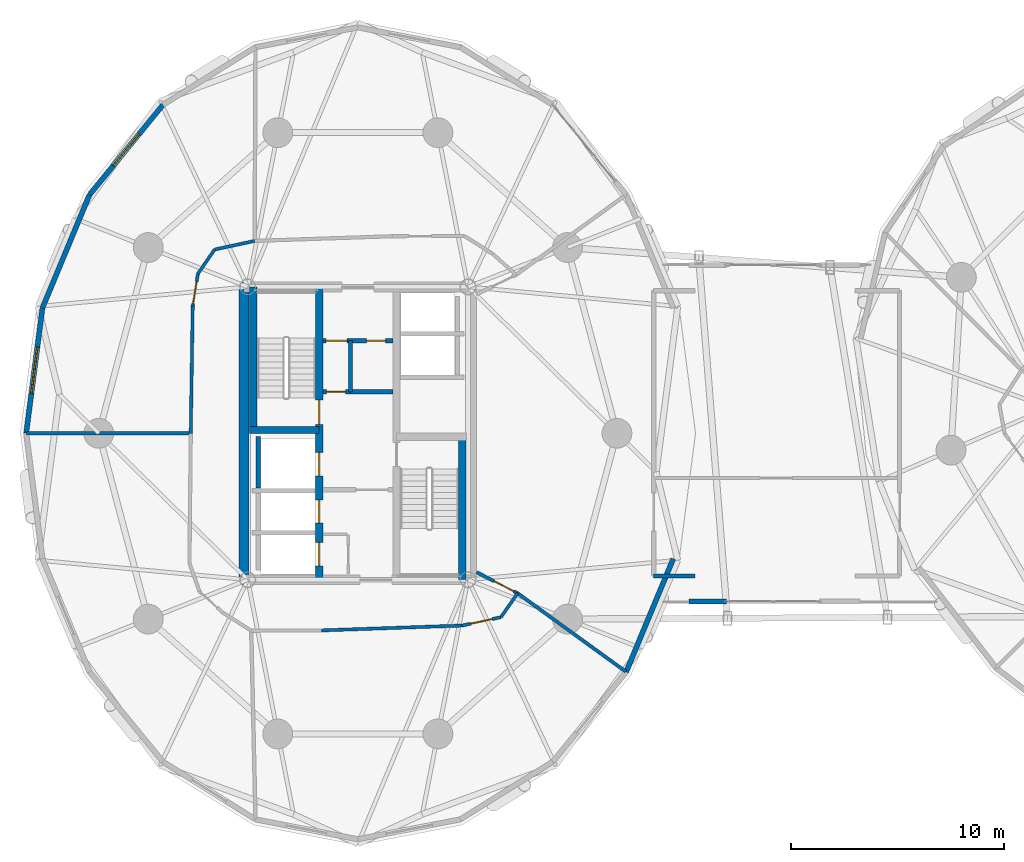
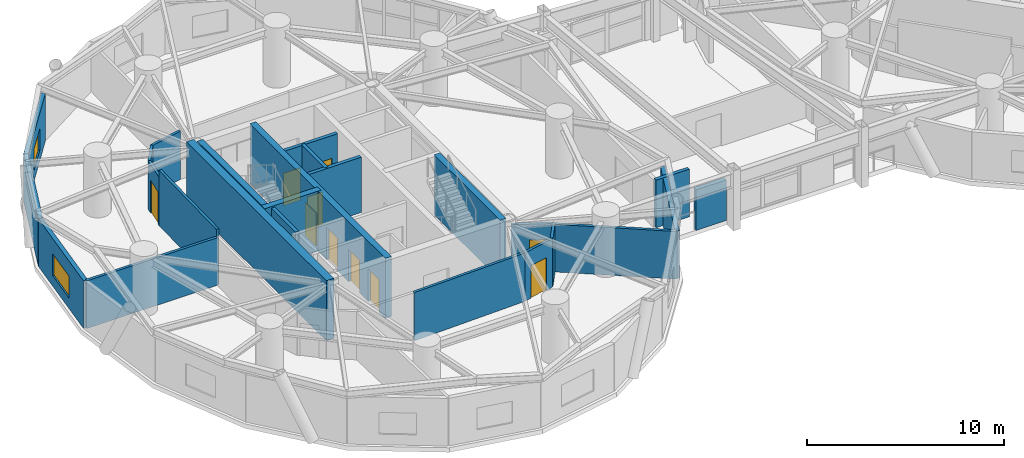
# One storey, part 13 of 19: 25 walls, 10 doors, 2 windows, 12 openings.
"""IFC4 building model written with IfcOpenShell, lengths in metres."""

from ifc_helpers import new_model, si_unit, direction, frame, frame_2d, origin, place, context, subcontext, project, spatial, rectangle, extrude, source, transform, mapped, material, layer, layer_set, type_object, element, fill, save


model = new_model("IFC4")

# Units and contexts
model_context = context("Model", 3, precision=1e-05, world=origin(), true_north=direction((0.0, 1.0)))
body_context = subcontext(model_context, "Body", "Model", "MODEL_VIEW")
ifc_project = project(units=[si_unit("LENGTHUNIT", "METRE"), si_unit("AREAUNIT", "SQUARE_METRE"), si_unit("VOLUMEUNIT", "CUBIC_METRE"), si_unit("PLANEANGLEUNIT", "RADIAN"), si_unit("MASSUNIT", "GRAM", prefix="KILO")], contexts=[model_context])

# Site, building, storey
site_placement = place(None, origin())
site = spatial("IfcSite", under=ifc_project, at=site_placement, CompositionType="ELEMENT")
building_placement = place(site_placement, origin())
building = spatial("IfcBuilding", under=site, at=building_placement, Name="Cununo Teusaquillo Station Towers", CompositionType="ELEMENT")
storey_placement = place(building_placement, frame((0.0, 0.0, 132.8798828125)))
storey = spatial("IfcBuildingStorey", under=building, at=storey_placement, Name="L42", CompositionType="ELEMENT", Elevation=132.8798828125)

# Wall
ifc_material_1 = material(Name="Concrete C50/60", Category="concrete")
ifc_layer_1 = layer(ifc_material_1, 0.199951171875)
ifc_layer_set_1 = layer_set([ifc_layer_1], Name="Concrete C50/60")
wall_type_1 = type_object("IfcWallType", Name="WL-CORE-200", PredefinedType="SHEAR", material=ifc_layer_set_1)
wall_1_placement = place(storey_placement, frame((11.820068359375, 21.919921875, 0.0), z_axis=(0.0, 0.0, 1.0), x_axis=(0.0, 1.0, 0.0)))
element("IfcWall", 1, at=wall_1_placement, inside=storey, type_object=wall_type_1, Name="L42 Tower A Firefighting Lift Shaft Rear Shear Wall", PredefinedType="SHEAR", context=body_context, shape_type="SweptSolid", body=[
    extrude(rectangle(XDim=2.440185546875, YDim=0.199951171875, at=frame_2d((1.22021484375, 0.0))), origin(), (0.0, 0.0, 1.0), 3.72021484375),
])

# Wall, openings, doors
ifc_material_2 = material(Name="Concrete C50/60", Category="concrete")
ifc_layer_2 = layer(ifc_material_2, 0.35009765625)
ifc_layer_set_2 = layer_set([ifc_layer_2], Name="Concrete C50/60")
wall_type_2 = type_object("IfcWallType", Name="WL-CORE-350", PredefinedType="SHEAR", material=ifc_layer_set_2)
wall_2_placement = place(storey_placement, frame((14.68505859375, 17.625, 0.0), z_axis=(0.0, 0.0, 1.0), x_axis=(0.0, 1.0, 0.0)))
wall_2 = element("IfcWall", 2, at=wall_2_placement, inside=storey, type_object=wall_type_2, Name="L42 Tower A Core Shear Wall IW", PredefinedType="SHEAR", context=body_context, shape_type="SweptSolid", body=[
    extrude(rectangle(XDim=13.75, YDim=0.35009765625, at=frame_2d((6.875, 0.0))), origin(), (0.0, 0.0, 1.0), 3.72021484375),
])
shared_shape_1 = source(origin(), body_context, "Body", "SweptSolid", [
    extrude(rectangle(XDim=1.10009765625, YDim=2.014892578125, at=frame_2d((0.550048828125, 1.00732421875))), frame((0.0, 0.18505859375, 0.0), z_axis=(0.0, -1.0, 0.0), x_axis=(1.0, 0.0, 0.0)), (0.0, 0.0, 1.0), 0.3701171875),
])
opening_1_placement = place(wall_2_placement, frame((4.875, 0.0, 0.0)))
opening_1 = element("IfcOpeningElement", 3, at=opening_1_placement, cuts=wall_2, Name="Opening LD-01", PredefinedType="OPENING", context=body_context, shape_type="MappedRepresentation", body=[
    mapped(shared_shape_1, transform((0.0, 0.0, 0.0), x_axis=(1.0, 0.0, 0.0), y_axis=(0.0, 1.0, 0.0), z_axis=(0.0, 0.0, 1.0), scale=1.0)),
])
opening_2_placement = place(wall_2_placement, frame((0.64990234375, 0.0, 0.0)))
opening_2 = element("IfcOpeningElement", 4, at=opening_2_placement, cuts=wall_2, Name="Opening LD-01", PredefinedType="OPENING", context=body_context, shape_type="MappedRepresentation", body=[
    mapped(shared_shape_1, transform((0.0, 0.0, 0.0), x_axis=(1.0, 0.0, 0.0), y_axis=(0.0, 1.0, 0.0), z_axis=(0.0, 0.0, 1.0), scale=1.0)),
])
opening_3_placement = place(wall_2_placement, frame((2.64990234375, 0.0, 0.0)))
opening_3 = element("IfcOpeningElement", 5, at=opening_3_placement, cuts=wall_2, Name="Opening LD-01", PredefinedType="OPENING", context=body_context, shape_type="MappedRepresentation", body=[
    mapped(shared_shape_1, transform((0.0, 0.0, 0.0), x_axis=(1.0, 0.0, 0.0), y_axis=(0.0, 1.0, 0.0), z_axis=(0.0, 0.0, 1.0), scale=1.0)),
])
shared_shape_2 = source(origin(), body_context, "Body", "SweptSolid", [
    extrude(rectangle(XDim=1.14990234375, YDim=2.02001953125, at=frame_2d((0.574951171875, 1.010009765625))), frame((0.0, 0.18505859375, 0.0), z_axis=(0.0, -1.0, 0.0), x_axis=(1.0, 0.0, 0.0)), (0.0, 0.0, 1.0), 0.3701171875),
])
opening_4_placement = place(wall_2_placement, frame((7.294921875, 0.0, 0.0)))
opening_4 = element("IfcOpeningElement", 6, at=opening_4_placement, cuts=wall_2, Name="Opening D-ST1", PredefinedType="OPENING", context=body_context, shape_type="MappedRepresentation", body=[
    mapped(shared_shape_2, transform((0.0, 0.0, 0.0), x_axis=(1.0, 0.0, 0.0), y_axis=(0.0, 1.0, 0.0), z_axis=(0.0, 0.0, 1.0), scale=1.0)),
])
ifc_material_3 = material(Name="Galvanised fire-rated hollow steel door assembly", Category="steel")
door_type_1 = type_object("IfcDoorType", Name="DR-LIFT-1100", OperationType="SLIDING_TO_LEFT", PredefinedType="DOOR", material=ifc_material_3)
shared_shape_3 = source(origin(), body_context, "Body", "SweptSolid", [
    extrude(rectangle(XDim=1.10009765625, YDim=2.014892578125, at=frame_2d((0.550048828125, 1.00732421875))), frame((0.0, 0.02490234375, 0.0), z_axis=(0.0, -1.0, 0.0), x_axis=(1.0, 0.0, 0.0)), (0.0, 0.0, 1.0), 0.050048828125),
])
door_1_placement = place(opening_1_placement, origin())
door_1 = element("IfcDoor", 7, at=door_1_placement, inside=storey, type_object=door_type_1, Name="L42 Lift FL-T1 Sliding Landing Door", OperationType="SLIDING_TO_LEFT", OverallHeight=2.014892578125, OverallWidth=1.10009765625, PredefinedType="DOOR", context=body_context, shape_type="MappedRepresentation", body=[
    mapped(shared_shape_3, transform((0.0, 0.0, 0.0), x_axis=(1.0, 0.0, 0.0), y_axis=(0.0, 1.0, 0.0), z_axis=(0.0, 0.0, 1.0), scale=1.0)),
])
fill(opening_1, door_1)
door_2_placement = place(opening_2_placement, origin())
door_2 = element("IfcDoor", 8, at=door_2_placement, inside=storey, type_object=door_type_1, Name="L42 Lift PL-T1-H1 Sliding Landing Door", OperationType="SLIDING_TO_LEFT", OverallHeight=2.014892578125, OverallWidth=1.10009765625, PredefinedType="DOOR", context=body_context, shape_type="MappedRepresentation", body=[
    mapped(shared_shape_3, transform((0.0, 0.0, 0.0), x_axis=(1.0, 0.0, 0.0), y_axis=(0.0, 1.0, 0.0), z_axis=(0.0, 0.0, 1.0), scale=1.0)),
])
fill(opening_2, door_2)
door_3_placement = place(opening_3_placement, origin())
door_3 = element("IfcDoor", 9, at=door_3_placement, inside=storey, type_object=door_type_1, Name="L42 Lift PL-T1-H2 Sliding Landing Door", OperationType="SLIDING_TO_RIGHT", OverallHeight=2.014892578125, OverallWidth=1.10009765625, PredefinedType="DOOR", context=body_context, shape_type="MappedRepresentation", body=[
    mapped(shared_shape_3, transform((0.0, 0.0, 0.0), x_axis=(1.0, 0.0, 0.0), y_axis=(0.0, 1.0, 0.0), z_axis=(0.0, 0.0, 1.0), scale=1.0)),
])
fill(opening_3, door_3)
ifc_material_4 = material(Name="Galvanised fire-rated hollow steel door assembly", Category="steel")
door_type_2 = type_object("IfcDoorType", Name="DR-STAIR-1150", OperationType="NOTDEFINED", PredefinedType="DOOR", material=ifc_material_4)
shared_shape_4 = source(origin(), body_context, "Body", "SweptSolid", [
    extrude(rectangle(XDim=1.14990234375, YDim=2.02001953125, at=frame_2d((0.574951171875, 1.010009765625))), frame((0.0, 0.02490234375, 0.0), z_axis=(0.0, -1.0, 0.0), x_axis=(1.0, 0.0, 0.0)), (0.0, 0.0, 1.0), 0.050048828125),
])
door_4_placement = place(opening_4_placement, origin())
door_4 = element("IfcDoor", 10, at=door_4_placement, inside=storey, type_object=door_type_2, Name="L42 Tower A Exit Stair 1 Fire Door", OperationType="SINGLE_SWING_RIGHT", OverallHeight=2.02001953125, OverallWidth=1.14990234375, PredefinedType="DOOR", context=body_context, shape_type="MappedRepresentation", body=[
    mapped(shared_shape_4, transform((0.0, 0.0, 0.0), x_axis=(1.0, 0.0, 0.0), y_axis=(0.0, 1.0, 0.0), z_axis=(0.0, 0.0, 1.0), scale=1.0)),
])
fill(opening_4, door_4)

# Walls
wall_3_placement = place(storey_placement, frame((11.594970703125, 24.655029296875, 0.0), z_axis=(0.0, 0.0, 1.0), x_axis=(0.0, 1.0, 0.0)))
element("IfcWall", 11, at=wall_3_placement, inside=storey, type_object=wall_type_2, Name="L42 Tower A Core Shear Wall ST1W", PredefinedType="SHEAR", context=body_context, shape_type="SweptSolid", body=[
    extrude(rectangle(XDim=6.719970703125, YDim=0.35009765625, at=frame_2d((3.35986328125, 0.0))), origin(), (0.0, 0.0, 1.0), 3.72021484375),
])
wall_4_placement = place(storey_placement, frame((11.39990234375, 24.655029296875, 0.0), z_axis=(0.0, 0.0, 1.0), x_axis=(1.0, 0.0, 0.0)))
element("IfcWall", 12, at=wall_4_placement, inside=storey, type_object=wall_type_2, Name="L42 Tower A Core Shear Wall ST1S", PredefinedType="SHEAR", context=body_context, shape_type="SweptSolid", body=[
    extrude(rectangle(XDim=3.28515625, YDim=0.35009765625, at=frame_2d((1.642578125, 0.0))), origin(), (0.0, 0.0, 1.0), 3.72021484375),
])
wall_5_placement = place(storey_placement, frame((21.405029296875, 17.625, 0.0), z_axis=(0.0, 0.0, 1.0), x_axis=(0.0, 1.0, 0.0)))
element("IfcWall", 13, at=wall_5_placement, inside=storey, type_object=wall_type_2, Name="L42 Tower A Core Shear Wall ST2E", PredefinedType="SHEAR", context=body_context, shape_type="SweptSolid", body=[
    extrude(rectangle(XDim=6.719970703125, YDim=0.35009765625, at=frame_2d((3.35986328125, 0.0))), origin(), (0.0, 0.0, 1.0), 3.72021484375),
])
ifc_material_5 = material(Name="Concrete C60/75", Category="concrete")
ifc_layer_3 = layer(ifc_material_5, 0.449951171875)
ifc_layer_set_3 = layer_set([ifc_layer_3], Name="Concrete C60/75")
wall_type_3 = type_object("IfcWallType", Name="WL-CORE-450", PredefinedType="SHEAR", material=ifc_layer_set_3)
wall_6_placement = place(storey_placement, frame((11.14990234375, 17.39990234375, 0.0), z_axis=(0.0, 0.0, 1.0), x_axis=(0.0, 1.0, 0.0)))
element("IfcWall", 14, at=wall_6_placement, inside=storey, type_object=wall_type_3, Name="L42 Tower A Core Shear Wall W", PredefinedType="SHEAR", context=body_context, shape_type="SweptSolid", body=[
    extrude(rectangle(XDim=14.2001953125, YDim=0.449951171875, at=frame_2d((7.10009765625, 0.0))), origin(), (0.0, 0.0, 1.0), 3.72021484375),
])

# Wall, opening, window
ifc_material_6 = material(Name="Precast concrete C40/50", Category="concrete")
ifc_layer_4 = layer(ifc_material_6, 0.239990234375)
ifc_layer_set_4 = layer_set([ifc_layer_4], Name="Precast concrete C40/50")
wall_type_4 = type_object("IfcWallType", Name="WL-EXT-240", PredefinedType="SOLIDWALL", material=ifc_layer_set_4)
wall_7_placement = place(storey_placement, frame((3.894775390625, 35.708984375, 0.0), z_axis=(0.0, 0.0, 1.0), x_axis=(0.632700781152, 0.77439635945, 0.0)))
wall_7 = element("IfcWall", 15, at=wall_7_placement, inside=storey, type_object=wall_type_4, Name="L42 Tower A Exterior Facade Wall C07", PredefinedType="SOLIDWALL", context=body_context, shape_type="SweptSolid", body=[
    extrude(rectangle(XDim=5.447998046875, YDim=0.239990234375, at=frame_2d((2.72412109375, 0.0))), origin(), (0.0, 0.0, 1.0), 2.94921875),
])
shared_shape_5 = source(origin(), body_context, "Body", "SweptSolid", [
    extrude(rectangle(XDim=1.89990234375, YDim=1.35009765625, at=frame_2d((0.949951171875, 0.675048828125))), frame((0.0, 0.1298828125, 0.0), z_axis=(0.0, -1.0, 0.0), x_axis=(1.0, 0.0, 0.0)), (0.0, 0.0, 1.0), 0.260009765625),
])
opening_5_placement = place(wall_7_placement, frame((1.77392578125, 0.0, 0.64990234375)))
opening_5 = element("IfcOpeningElement", 16, at=opening_5_placement, cuts=wall_7, Name="Opening WN-02", PredefinedType="OPENING", context=body_context, shape_type="MappedRepresentation", body=[
    mapped(shared_shape_5, transform((0.0, 0.0, 0.0), x_axis=(1.0, 0.0, 0.0), y_axis=(0.0, 1.0, 0.0), z_axis=(0.0, 0.0, 1.0), scale=1.0)),
])
ifc_material_7 = material(Name="Operable acoustic tinted low-E double glazing", Category="glass")
window_type_1 = type_object("IfcWindowType", Name="WIN-OPER-1900", PartitioningType="DOUBLE_PANEL_VERTICAL", PredefinedType="WINDOW", material=ifc_material_7)
shared_shape_6 = source(origin(), body_context, "Body", "SweptSolid", [
    extrude(rectangle(XDim=1.89990234375, YDim=1.35009765625, at=frame_2d((0.949951171875, 0.675048828125))), frame((0.0, 0.030029296875, 0.0), z_axis=(0.0, -1.0, 0.0), x_axis=(1.0, 0.0, 0.0)), (0.0, 0.0, 1.0), 0.06005859375),
])
window_1_placement = place(opening_5_placement, origin())
window_1 = element("IfcWindow", 17, at=window_1_placement, inside=storey, type_object=window_type_1, Name="L42 Tower A Facade Window C07", OverallHeight=1.35009765625, OverallWidth=1.89990234375, PartitioningType="DOUBLE_PANEL_VERTICAL", PredefinedType="WINDOW", context=body_context, shape_type="MappedRepresentation", body=[
    mapped(shared_shape_6, transform((0.0, 0.0, 0.0), x_axis=(1.0, 0.0, 0.0), y_axis=(0.0, 1.0, 0.0), z_axis=(0.0, 0.0, 1.0), scale=1.0)),
])
fill(opening_5, window_1)

# Wall
wall_8_placement = place(storey_placement, frame((1.681640625, 30.39306640625, 0.0), z_axis=(0.0, 0.0, 1.0), x_axis=(0.384344417632, 0.923189779317, 0.0)))
element("IfcWall", 18, at=wall_8_placement, inside=storey, type_object=wall_type_4, Name="L42 Tower A Exterior Facade Wall C08", PredefinedType="SOLIDWALL", context=body_context, shape_type="SweptSolid", body=[
    extrude(rectangle(XDim=5.75830078125, YDim=0.239990234375, at=frame_2d((2.879150390625, 0.0))), origin(), (0.0, 0.0, 1.0), 2.94921875),
])

# Wall, opening, window
wall_9_placement = place(storey_placement, frame((0.9189453125, 24.5, 0.0), z_axis=(0.0, 0.0, 1.0), x_axis=(0.128351991996, 0.991728675672, 0.0)))
wall_9 = element("IfcWall", 19, at=wall_9_placement, inside=storey, type_object=wall_type_4, Name="L42 Tower A Exterior Facade Wall C09", PredefinedType="SOLIDWALL", context=body_context, shape_type="SweptSolid", body=[
    extrude(rectangle(XDim=5.942138671875, YDim=0.239990234375, at=frame_2d((2.97119140625, 0.0))), origin(), (0.0, 0.0, 1.0), 2.94921875),
])
shared_shape_7 = source(origin(), body_context, "Body", "SweptSolid", [
    extrude(rectangle(XDim=2.199951171875, YDim=1.35009765625, at=frame_2d((1.10009765625, 0.675048828125))), frame((0.0, 0.1298828125, 0.0), z_axis=(0.0, -1.0, 0.0), x_axis=(1.0, 0.0, 0.0)), (0.0, 0.0, 1.0), 0.260009765625),
])
opening_6_placement = place(wall_9_placement, frame((1.87109375, 0.0, 0.64990234375)))
opening_6 = element("IfcOpeningElement", 20, at=opening_6_placement, cuts=wall_9, Name="Opening WN-01", PredefinedType="OPENING", context=body_context, shape_type="MappedRepresentation", body=[
    mapped(shared_shape_7, transform((0.0, 0.0, 0.0), x_axis=(1.0, 0.0, 0.0), y_axis=(0.0, 1.0, 0.0), z_axis=(0.0, 0.0, 1.0), scale=1.0)),
])
ifc_material_8 = material(Name="Ceramic-fritted dark low-E double glazing", Category="glass")
window_type_2 = type_object("IfcWindowType", Name="WIN-FRIT-2200", PartitioningType="DOUBLE_PANEL_VERTICAL", PredefinedType="WINDOW", material=ifc_material_8)
shared_shape_8 = source(origin(), body_context, "Body", "SweptSolid", [
    extrude(rectangle(XDim=2.199951171875, YDim=1.35009765625, at=frame_2d((1.10009765625, 0.675048828125))), frame((0.0, 0.030029296875, 0.0), z_axis=(0.0, -1.0, 0.0), x_axis=(1.0, 0.0, 0.0)), (0.0, 0.0, 1.0), 0.06005859375),
])
window_2_placement = place(opening_6_placement, origin())
window_2 = element("IfcWindow", 21, at=window_2_placement, inside=storey, type_object=window_type_2, Name="L42 Tower A Facade Window C09", OverallHeight=1.35009765625, OverallWidth=2.199951171875, PartitioningType="DOUBLE_PANEL_VERTICAL", PredefinedType="WINDOW", context=body_context, shape_type="MappedRepresentation", body=[
    mapped(shared_shape_8, transform((0.0, 0.0, 0.0), x_axis=(1.0, 0.0, 0.0), y_axis=(0.0, 1.0, 0.0), z_axis=(0.0, 0.0, 1.0), scale=1.0)),
])
fill(opening_6, window_2)

# Walls
wall_10_placement = place(storey_placement, frame((31.318359375, 18.60693359375, 0.0), z_axis=(0.0, 0.0, 1.0), x_axis=(-0.384344417632, -0.923189779317, 0.0)))
element("IfcWall", 22, at=wall_10_placement, inside=storey, type_object=wall_type_4, Name="L42 Tower A Exterior Facade Wall C18", PredefinedType="SOLIDWALL", context=body_context, shape_type="SweptSolid", body=[
    extrude(rectangle(XDim=5.75830078125, YDim=0.239990234375, at=frame_2d((2.879150390625, 0.0))), origin(), (0.0, 0.0, 1.0), 2.94921875),
])
wall_11_placement = place(storey_placement, frame((33.820068359375, 16.60009765625, 0.0), z_axis=(0.0, 0.0, 1.0), x_axis=(-1.0, 0.0, 0.0)))
element("IfcWall", 23, at=wall_11_placement, inside=storey, type_object=wall_type_4, Name="L42 Mid-Bridge S End Spandrel B", PredefinedType="SOLIDWALL", context=body_context, shape_type="SweptSolid", body=[
    extrude(rectangle(XDim=1.77001953125, YDim=0.239990234375, at=frame_2d((0.885009765625, 0.0))), origin(), (0.0, 0.0, 1.0), 2.51220703125),
])
ifc_material_9 = material(Name="Fire-rated gypsum plasterboard partition assembly", Category="gypsum")
ifc_layer_5 = layer(ifc_material_9, 0.14990234375)
ifc_layer_set_5 = layer_set([ifc_layer_5], Name="Fire-rated gypsum plasterboard partition assembly")
wall_type_5 = type_object("IfcWallType", Name="WL-PART-150", PredefinedType="PARTITIONING", material=ifc_layer_set_5)
wall_12_placement = place(storey_placement, frame((11.650390625, 33.53857421875, 0.0), z_axis=(0.0, 0.0, 1.0), x_axis=(-0.977535921581, -0.210768882949, 0.0)))
element("IfcWall", 24, at=wall_12_placement, inside=storey, type_object=wall_type_5, Name="L42 Tower A Corridor Ring Wall C06", PredefinedType="PARTITIONING", context=body_context, shape_type="SweptSolid", body=[
    extrude(rectangle(XDim=1.9228515625, YDim=0.14990234375, at=frame_2d((0.96142578125, 0.0))), origin(), (0.0, 0.0, 1.0), 2.9951171875),
])
wall_13_placement = place(storey_placement, frame((9.770751953125, 33.13330078125, 0.0), z_axis=(0.0, 0.0, 1.0), x_axis=(-0.568464531016, -0.822707771312, 0.0)))
element("IfcWall", 25, at=wall_13_placement, inside=storey, type_object=wall_type_5, Name="L42 Tower A Corridor Ring Wall C07", PredefinedType="PARTITIONING", context=body_context, shape_type="SweptSolid", body=[
    extrude(rectangle(XDim=1.3798828125, YDim=0.14990234375, at=frame_2d((0.68994140625, 0.0))), origin(), (0.0, 0.0, 1.0), 2.9951171875),
])

# Wall, opening, door
wall_14_placement = place(storey_placement, frame((8.986328125, 31.998046875, 0.0), z_axis=(0.0, 0.0, 1.0), x_axis=(-0.158992972351, -0.98727971454, 0.0)))
wall_14 = element("IfcWall", 26, at=wall_14_placement, inside=storey, type_object=wall_type_5, Name="L42 Tower A Corridor Ring Wall C08", PredefinedType="PARTITIONING", context=body_context, shape_type="SweptSolid", body=[
    extrude(rectangle(XDim=1.53857421875, YDim=0.14990234375, at=frame_2d((0.769287109375, 0.0))), origin(), (0.0, 0.0, 1.0), 2.9951171875),
])
shared_shape_9 = source(origin(), body_context, "Body", "SweptSolid", [
    extrude(rectangle(XDim=1.050048828125, YDim=2.014892578125, at=frame_2d((0.52490234375, 1.00732421875))), frame((0.0, 0.0849609375, 0.0), z_axis=(0.0, -1.0, 0.0), x_axis=(1.0, 0.0, 0.0)), (0.0, 0.0, 1.0), 0.169921875),
])
opening_7_placement = place(wall_14_placement, frame((0.36865234375, 0.0, 0.0)))
opening_7 = element("IfcOpeningElement", 27, at=opening_7_placement, cuts=wall_14, Name="Opening D-SU1", PredefinedType="OPENING", context=body_context, shape_type="MappedRepresentation", body=[
    mapped(shared_shape_9, transform((0.0, 0.0, 0.0), x_axis=(1.0, 0.0, 0.0), y_axis=(0.0, 1.0, 0.0), z_axis=(0.0, 0.0, 1.0), scale=1.0)),
])
ifc_material_10 = material(Name="Acoustic solid-core hardwood leaf assembly", Category="wood")
door_type_3 = type_object("IfcDoorType", Name="DR-SUITE-1050", OperationType="NOTDEFINED", PredefinedType="DOOR", material=ifc_material_10)
shared_shape_10 = source(origin(), body_context, "Body", "SweptSolid", [
    extrude(rectangle(XDim=1.050048828125, YDim=2.014892578125, at=frame_2d((0.52490234375, 1.00732421875))), frame((0.0, 0.02490234375, 0.0), z_axis=(0.0, -1.0, 0.0), x_axis=(1.0, 0.0, 0.0)), (0.0, 0.0, 1.0), 0.050048828125),
])
door_5_placement = place(opening_7_placement, origin())
door_5 = element("IfcDoor", 28, at=door_5_placement, inside=storey, type_object=door_type_3, Name="L42 Tower A Andean Coffee & Pastry Salon Entrance Door", OperationType="SINGLE_SWING_LEFT", OverallHeight=2.014892578125, OverallWidth=1.050048828125, PredefinedType="DOOR", context=body_context, shape_type="MappedRepresentation", body=[
    mapped(shared_shape_10, transform((0.0, 0.0, 0.0), x_axis=(1.0, 0.0, 0.0), y_axis=(0.0, 1.0, 0.0), z_axis=(0.0, 0.0, 1.0), scale=1.0)),
])
fill(opening_7, door_5)

# Walls
wall_15_placement = place(storey_placement, frame((8.74169921875, 30.47900390625, 0.0), z_axis=(0.0, 0.0, 1.0), x_axis=(-0.015351396174, -0.999882160375, 0.0)))
element("IfcWall", 29, at=wall_15_placement, inside=storey, type_object=wall_type_5, Name="L42 Tower A Corridor Ring Wall C09", PredefinedType="PARTITIONING", context=body_context, shape_type="SweptSolid", body=[
    extrude(rectangle(XDim=5.979736328125, YDim=0.14990234375, at=frame_2d((2.98974609375, 0.0))), origin(), (0.0, 0.0, 1.0), 3.425048828125),
])
wall_16_placement = place(storey_placement, frame((14.791748046875, 15.240478515625, 0.0), z_axis=(0.0, 0.0, 1.0), x_axis=(0.999408106202, 0.034401122909, 0.0)))
element("IfcWall", 30, at=wall_16_placement, inside=storey, type_object=wall_type_5, Name="L42 Tower A Corridor Ring Wall C15", PredefinedType="PARTITIONING", context=body_context, shape_type="SweptSolid", body=[
    extrude(rectangle(XDim=6.60009765625, YDim=0.14990234375, at=frame_2d((3.300048828125, 0.0))), origin(), (0.0, 0.0, 1.0), 2.9951171875),
])

# Wall, opening, door
wall_17_placement = place(storey_placement, frame((21.387939453125, 15.467529296875, 0.0), z_axis=(0.0, 0.0, 1.0), x_axis=(0.977672748596, 0.210133283069, 0.0)))
wall_17 = element("IfcWall", 31, at=wall_17_placement, inside=storey, type_object=wall_type_5, Name="L42 Tower A Corridor Ring Wall C16", PredefinedType="PARTITIONING", context=body_context, shape_type="SweptSolid", body=[
    extrude(rectangle(XDim=1.87646484375, YDim=0.14990234375, at=frame_2d((0.938232421875, 0.0))), origin(), (0.0, 0.0, 1.0), 2.9951171875),
])
opening_8_placement = place(wall_17_placement, frame((0.4130859375, 0.0, 0.0)))
opening_8 = element("IfcOpeningElement", 32, at=opening_8_placement, cuts=wall_17, Name="Opening D-SU1", PredefinedType="OPENING", context=body_context, shape_type="MappedRepresentation", body=[
    mapped(shared_shape_9, transform((0.0, 0.0, 0.0), x_axis=(1.0, 0.0, 0.0), y_axis=(0.0, 1.0, 0.0), z_axis=(0.0, 0.0, 1.0), scale=1.0)),
])
door_6_placement = place(opening_8_placement, origin())
door_6 = element("IfcDoor", 33, at=door_6_placement, inside=storey, type_object=door_type_3, Name="L42 Tower A Executive Sky-Bridge Club Lounge Entrance Door", OperationType="SINGLE_SWING_LEFT", OverallHeight=2.014892578125, OverallWidth=1.050048828125, PredefinedType="DOOR", context=body_context, shape_type="MappedRepresentation", body=[
    mapped(shared_shape_10, transform((0.0, 0.0, 0.0), x_axis=(1.0, 0.0, 0.0), y_axis=(0.0, 1.0, 0.0), z_axis=(0.0, 0.0, 1.0), scale=1.0)),
])
fill(opening_8, door_6)

# Walls
wall_18_placement = place(storey_placement, frame((23.222412109375, 15.86181640625, 0.0), z_axis=(0.0, 0.0, 1.0), x_axis=(0.571941738195, 0.820294244836, 0.0)))
element("IfcWall", 34, at=wall_18_placement, inside=storey, type_object=wall_type_5, Name="L42 Tower A Corridor Ring Wall C17", PredefinedType="PARTITIONING", context=body_context, shape_type="SweptSolid", body=[
    extrude(rectangle(XDim=1.369384765625, YDim=0.14990234375, at=frame_2d((0.6845703125, 0.0))), origin(), (0.0, 0.0, 1.0), 2.9951171875),
])
ifc_material_11 = material(Name="Fire-rated gypsum plasterboard partition assembly", Category="gypsum")
ifc_layer_6 = layer(ifc_material_11, 0.159912109375)
ifc_layer_set_6 = layer_set([ifc_layer_6], Name="Fire-rated gypsum plasterboard partition assembly")
wall_type_6 = type_object("IfcWallType", Name="WL-PART-160", PredefinedType="PARTITIONING", material=ifc_layer_set_6)
wall_19_placement = place(storey_placement, frame((8.64990234375, 24.5, 0.0), z_axis=(0.0, 0.0, 1.0), x_axis=(-1.0, 0.0, 0.0)))
element("IfcWall", 35, at=wall_19_placement, inside=storey, type_object=wall_type_6, Name="L42 Tower A Radial Suite Partition R03", PredefinedType="PARTITIONING", context=body_context, shape_type="SweptSolid", body=[
    extrude(rectangle(XDim=7.7109375, YDim=0.159912109375, at=frame_2d((3.85546875, 0.0))), origin(), (0.0, 0.0, 1.0), 2.94921875),
])
wall_20_placement = place(storey_placement, frame((24.005615234375, 16.985107421875, 0.0), z_axis=(0.0, 0.0, 1.0), x_axis=(0.809849730791, -0.586637378231, 0.0)))
element("IfcWall", 36, at=wall_20_placement, inside=storey, type_object=wall_type_6, Name="L42 Tower A Radial Suite Partition R05", PredefinedType="PARTITIONING", context=body_context, shape_type="SweptSolid", body=[
    extrude(rectangle(XDim=6.277099609375, YDim=0.159912109375, at=frame_2d((3.138671875, 0.0))), origin(), (0.0, 0.0, 1.0), 2.94921875),
])

# Wall, opening, door
wall_21_placement = place(storey_placement, frame((22.074951171875, 17.97509765625, 0.0), z_axis=(0.0, 0.0, 1.0), x_axis=(0.889835034782, -0.456282380632, 0.0)))
wall_21 = element("IfcWall", 37, at=wall_21_placement, inside=storey, type_object=wall_type_6, Name="L42 Tower A East Salon Corridor Portal Wall SE", PredefinedType="PARTITIONING", context=body_context, shape_type="SweptSolid", body=[
    extrude(rectangle(XDim=2.169677734375, YDim=0.159912109375, at=frame_2d((1.0849609375, 0.0))), origin(), (0.0, 0.0, 1.0), 2.9951171875),
])
shared_shape_11 = source(origin(), body_context, "Body", "SweptSolid", [
    extrude(rectangle(XDim=1.050048828125, YDim=2.014892578125, at=frame_2d((0.52490234375, 1.00732421875))), frame((0.0, 0.08984375, 0.0), z_axis=(0.0, -1.0, 0.0), x_axis=(1.0, 0.0, 0.0)), (0.0, 0.0, 1.0), 0.179931640625),
])
opening_9_placement = place(wall_21_placement, frame((0.919677734375, 0.0, 0.0)))
opening_9 = element("IfcOpeningElement", 38, at=opening_9_placement, cuts=wall_21, Name="Opening D-SU1", PredefinedType="OPENING", context=body_context, shape_type="MappedRepresentation", body=[
    mapped(shared_shape_11, transform((0.0, 0.0, 0.0), x_axis=(1.0, 0.0, 0.0), y_axis=(0.0, 1.0, 0.0), z_axis=(0.0, 0.0, 1.0), scale=1.0)),
])
door_7_placement = place(opening_9_placement, origin())
door_7 = element("IfcDoor", 39, at=door_7_placement, inside=storey, type_object=door_type_3, Name="L42 Tower A East Panorama Sky Salon Door SE", OperationType="SINGLE_SWING_LEFT", OverallHeight=2.014892578125, OverallWidth=1.050048828125, PredefinedType="DOOR", context=body_context, shape_type="MappedRepresentation", body=[
    mapped(shared_shape_10, transform((0.0, 0.0, 0.0), x_axis=(1.0, 0.0, 0.0), y_axis=(0.0, 1.0, 0.0), z_axis=(0.0, 0.0, 1.0), scale=1.0)),
])
fill(opening_9, door_7)

# Wall
ifc_material_12 = material(Name="Fire-rated gypsum plasterboard partition assembly", Category="gypsum")
ifc_layer_7 = layer(ifc_material_12, 0.199951171875)
ifc_layer_set_7 = layer_set([ifc_layer_7], Name="Fire-rated gypsum plasterboard partition assembly")
wall_type_7 = type_object("IfcWallType", Name="WL-PART-200", PredefinedType="PARTITIONING", material=ifc_layer_set_7)
wall_22_placement = place(storey_placement, frame((30.39990234375, 17.800048828125, 0.0), z_axis=(0.0, 0.0, 1.0), x_axis=(1.0, 0.0, 0.0)))
element("IfcWall", 40, at=wall_22_placement, inside=storey, type_object=wall_type_7, Name="L42 Mid-Bridge Portal Return Wall WS", PredefinedType="PARTITIONING", context=body_context, shape_type="SweptSolid", body=[
    extrude(rectangle(XDim=1.9501953125, YDim=0.199951171875, at=frame_2d((0.97509765625, 0.0))), origin(), (0.0, 0.0, 1.0), 2.94921875),
])

# Wall, opening, door
wall_23_placement = place(storey_placement, frame((14.860107421875, 26.449951171875, 0.0), z_axis=(0.0, 0.0, 1.0), x_axis=(1.0, 0.0, 0.0)))
wall_23 = element("IfcWall", 41, at=wall_23_placement, inside=storey, type_object=wall_type_7, Name="L42 Tower A Firefighting Lift Lobby North Fire Wall", PredefinedType="PARTITIONING", context=body_context, shape_type="SweptSolid", body=[
    extrude(rectangle(XDim=3.27978515625, YDim=0.199951171875, at=frame_2d((1.639892578125, 0.0))), origin(), (0.0, 0.0, 1.0), 3.425048828125),
])
shared_shape_12 = source(origin(), body_context, "Body", "SweptSolid", [
    extrude(rectangle(XDim=0.89990234375, YDim=2.0048828125, at=frame_2d((0.449951171875, 1.00244140625))), frame((0.0, 0.10986328125, 0.0), z_axis=(0.0, -1.0, 0.0), x_axis=(1.0, 0.0, 0.0)), (0.0, 0.0, 1.0), 0.219970703125),
])
opening_10_placement = place(wall_23_placement, frame((0.159912109375, 0.0, 0.0)))
opening_10 = element("IfcOpeningElement", 42, at=opening_10_placement, cuts=wall_23, Name="Opening D-SR1", PredefinedType="OPENING", context=body_context, shape_type="MappedRepresentation", body=[
    mapped(shared_shape_12, transform((0.0, 0.0, 0.0), x_axis=(1.0, 0.0, 0.0), y_axis=(0.0, 1.0, 0.0), z_axis=(0.0, 0.0, 1.0), scale=1.0)),
])
ifc_material_13 = material(Name="Galvanised fire-rated hollow steel door assembly", Category="steel")
door_type_4 = type_object("IfcDoorType", Name="DR-STORE-900", OperationType="NOTDEFINED", PredefinedType="DOOR", material=ifc_material_13)
shared_shape_13 = source(origin(), body_context, "Body", "SweptSolid", [
    extrude(rectangle(XDim=0.89990234375, YDim=2.0048828125, at=frame_2d((0.449951171875, 1.00244140625))), frame((0.0, 0.02490234375, 0.0), z_axis=(0.0, -1.0, 0.0), x_axis=(1.0, 0.0, 0.0)), (0.0, 0.0, 1.0), 0.050048828125),
])
door_8_placement = place(opening_10_placement, origin())
door_8 = element("IfcDoor", 43, at=door_8_placement, inside=storey, type_object=door_type_4, Name="L42 Tower A Stair 1 Protected Vestibule South Door", OperationType="SINGLE_SWING_RIGHT", OverallHeight=2.0048828125, OverallWidth=0.89990234375, PredefinedType="DOOR", context=body_context, shape_type="MappedRepresentation", body=[
    mapped(shared_shape_13, transform((0.0, 0.0, 0.0), x_axis=(1.0, 0.0, 0.0), y_axis=(0.0, 1.0, 0.0), z_axis=(0.0, 0.0, 1.0), scale=1.0)),
])
fill(opening_10, door_8)

# Wall
wall_24_placement = place(storey_placement, frame((16.14990234375, 26.449951171875, 0.0), z_axis=(0.0, 0.0, 1.0), x_axis=(0.0, 1.0, 0.0)))
element("IfcWall", 44, at=wall_24_placement, inside=storey, type_object=wall_type_7, Name="L42 Tower A Stair 1 Vestibule Partition Wall", PredefinedType="PARTITIONING", context=body_context, shape_type="SweptSolid", body=[
    extrude(rectangle(XDim=2.400146484375, YDim=0.199951171875, at=frame_2d((1.2001953125, 0.0))), origin(), (0.0, 0.0, 1.0), 3.425048828125),
])

# Wall, openings, doors
wall_25_placement = place(storey_placement, frame((14.860107421875, 28.85009765625, 0.0), z_axis=(0.0, 0.0, 1.0), x_axis=(1.0, 0.0, 0.0)))
wall_25 = element("IfcWall", 45, at=wall_25_placement, inside=storey, type_object=wall_type_7, Name="L42 Tower A North Lift Lobby South Fire Wall", PredefinedType="PARTITIONING", context=body_context, shape_type="SweptSolid", body=[
    extrude(rectangle(XDim=3.27978515625, YDim=0.199951171875, at=frame_2d((1.639892578125, 0.0))), origin(), (0.0, 0.0, 1.0), 3.425048828125),
])
shared_shape_14 = source(origin(), body_context, "Body", "SweptSolid", [
    extrude(rectangle(XDim=1.0, YDim=2.014892578125, at=frame_2d((0.5, 1.00732421875))), frame((0.0, 0.10986328125, 0.0), z_axis=(0.0, -1.0, 0.0), x_axis=(1.0, 0.0, 0.0)), (0.0, 0.0, 1.0), 0.219970703125),
])
opening_11_placement = place(wall_25_placement, frame((0.139892578125, 0.0, 0.0)))
opening_11 = element("IfcOpeningElement", 46, at=opening_11_placement, cuts=wall_25, Name="Opening D-AC1", PredefinedType="OPENING", context=body_context, shape_type="MappedRepresentation", body=[
    mapped(shared_shape_14, transform((0.0, 0.0, 0.0), x_axis=(1.0, 0.0, 0.0), y_axis=(0.0, 1.0, 0.0), z_axis=(0.0, 0.0, 1.0), scale=1.0)),
])
opening_12_placement = place(wall_25_placement, frame((2.050048828125, 0.0, 0.0)))
opening_12 = element("IfcOpeningElement", 47, at=opening_12_placement, cuts=wall_25, Name="Opening D-SR1", PredefinedType="OPENING", context=body_context, shape_type="MappedRepresentation", body=[
    mapped(shared_shape_12, transform((0.0, 0.0, 0.0), x_axis=(1.0, 0.0, 0.0), y_axis=(0.0, 1.0, 0.0), z_axis=(0.0, 0.0, 1.0), scale=1.0)),
])
door_9_placement = place(opening_12_placement, origin())
door_9 = element("IfcDoor", 48, at=door_9_placement, inside=storey, type_object=door_type_4, Name="L42 Tower A Core Housekeeping & Linen Store Door", OperationType="SINGLE_SWING_LEFT", OverallHeight=2.0048828125, OverallWidth=0.89990234375, PredefinedType="DOOR", context=body_context, shape_type="MappedRepresentation", body=[
    mapped(shared_shape_13, transform((0.0, 0.0, 0.0), x_axis=(1.0, 0.0, 0.0), y_axis=(0.0, 1.0, 0.0), z_axis=(0.0, 0.0, 1.0), scale=1.0)),
])
fill(opening_12, door_9)
ifc_material_14 = material(Name="Acoustic solid-core hardwood leaf assembly", Category="wood")
door_type_5 = type_object("IfcDoorType", Name="DR-ACC-1000", OperationType="NOTDEFINED", PredefinedType="DOOR", material=ifc_material_14)
shared_shape_15 = source(origin(), body_context, "Body", "SweptSolid", [
    extrude(rectangle(XDim=1.0, YDim=2.014892578125, at=frame_2d((0.5, 1.00732421875))), frame((0.0, 0.02490234375, 0.0), z_axis=(0.0, -1.0, 0.0), x_axis=(1.0, 0.0, 0.0)), (0.0, 0.0, 1.0), 0.050048828125),
])
door_10_placement = place(opening_11_placement, origin())
door_10 = element("IfcDoor", 49, at=door_10_placement, inside=storey, type_object=door_type_5, Name="L42 Tower A North Lift Lobby to Stair 1 Vestibule Door", OperationType="SINGLE_SWING_LEFT", OverallHeight=2.014892578125, OverallWidth=1.0, PredefinedType="DOOR", context=body_context, shape_type="MappedRepresentation", body=[
    mapped(shared_shape_15, transform((0.0, 0.0, 0.0), x_axis=(1.0, 0.0, 0.0), y_axis=(0.0, 1.0, 0.0), z_axis=(0.0, 0.0, 1.0), scale=1.0)),
])
fill(opening_11, door_10)

save(model, "model.ifc")
